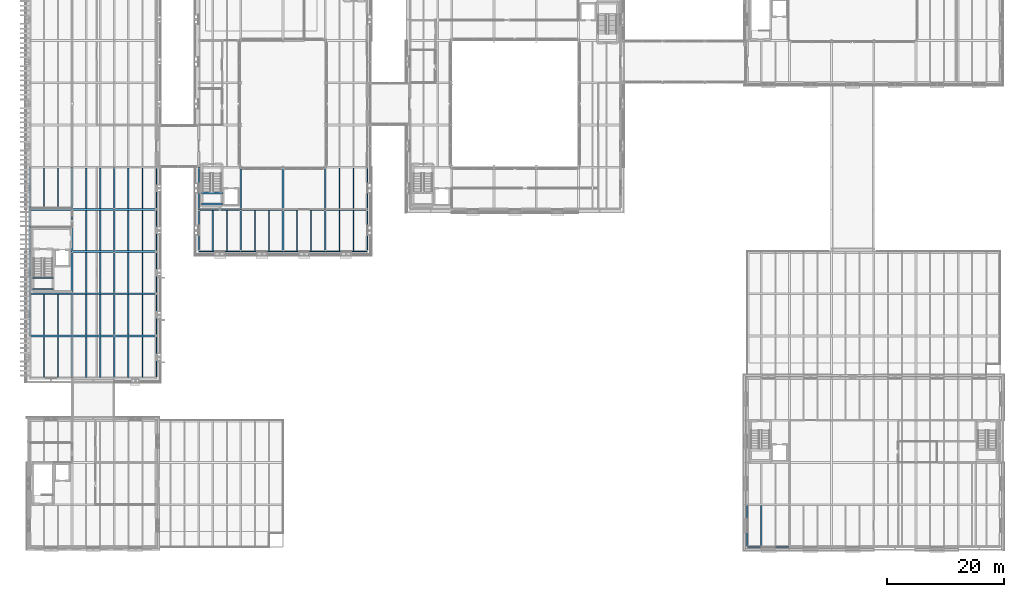
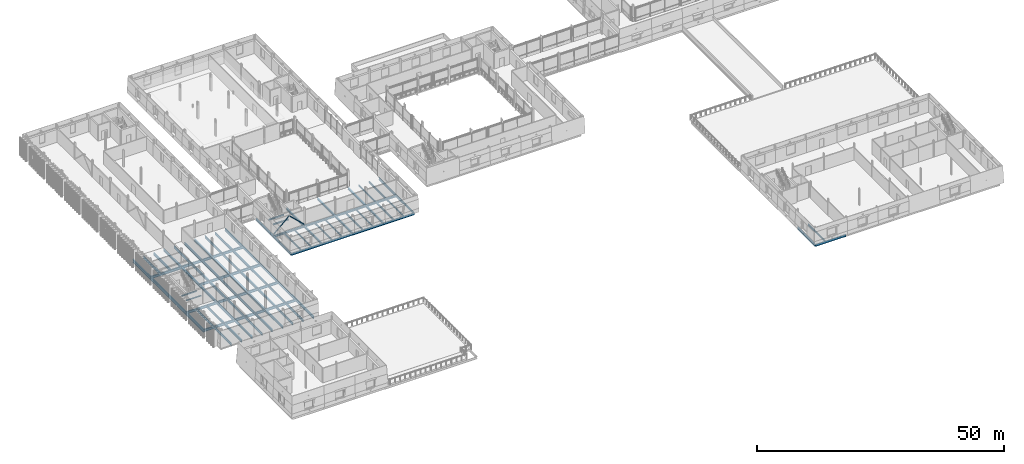
# One storey, part 19 of 115: 91 beams, 2 members.
"""IFC4 building model written with IfcOpenShell, lengths in metres."""

from ifc_helpers import new_model, si_unit, direction, frame, origin, origin_2d, place, context, subcontext, project, spatial, hollow_circle, i_section, extrude, material, material_profile, profile_set, type_object, element, save


model = new_model("IFC4")

# Units and contexts
model_context = context("Model", 3, precision=1e-05, world=origin(), true_north=direction((0.0, 1.0)))
body_context = subcontext(model_context, "Body", "Model", "MODEL_VIEW")
ifc_project = project(units=[si_unit("LENGTHUNIT", "METRE"), si_unit("AREAUNIT", "SQUARE_METRE"), si_unit("VOLUMEUNIT", "CUBIC_METRE"), si_unit("PLANEANGLEUNIT", "RADIAN"), si_unit("MASSUNIT", "GRAM", prefix="KILO")], contexts=[model_context])

# Site, building, storey
site_placement = place(None, origin())
site = spatial("IfcSite", under=ifc_project, at=site_placement, CompositionType="ELEMENT")
building_placement = place(site_placement, origin())
building = spatial("IfcBuilding", under=site, at=building_placement, Name="Narikvali Park Central Library", CompositionType="ELEMENT")
storey_placement = place(building_placement, frame((0.0, 0.0, 10.199951171875)))
storey = spatial("IfcBuildingStorey", under=building, at=storey_placement, Name="L02", CompositionType="ELEMENT", Elevation=10.199951171875)

# Beams
ifc_material = material(Name="Steel S355", Category="steel")
ifc_material_profile_1 = material_profile(ifc_material, i_section(OverallWidth=0.219970703125, OverallDepth=0.60009765625, WebThickness=0.011962890625, FlangeThickness=0.01904296875, FilletRadius=0.02392578125, at=origin_2d()), Name="IPE 600")
ifc_profile_set_1 = profile_set([ifc_material_profile_1], Name="Steel S355")
beam_type_1 = type_object("IfcBeamType", Name="Compact Archive Joist IPE600", PredefinedType="JOIST", material=ifc_profile_set_1)
for number, where, z_axis, x_axis, name in (
    (1, (2.39990234375, 28.909912109375, -0.599853515625), (0.0, 1.0, 0.0), (-1.0, 0.0, 0.0), "V5 L02 Composite Joist 1"),
    (2, (4.800048828125, 28.909912109375, -0.599853515625), (0.0, 1.0, 0.0), (-1.0, 0.0, 0.0), "V5 L02 Composite Joist 2"),
):
    element("IfcBeam", number, at=place(storey_placement, frame(where, z_axis=z_axis, x_axis=x_axis)), inside=storey, type_object=beam_type_1, Name=name, PredefinedType="JOIST", context=body_context, shape_type="SweptSolid", body=[
        extrude(i_section(OverallWidth=0.219970703125, OverallDepth=0.60009765625, WebThickness=0.011962890625, FlangeThickness=0.01904296875, FilletRadius=0.02392578125, at=origin_2d()), origin(), (0.0, 0.0, 1.0), 6.940185546875),
    ])
for number, where, z_axis, x_axis, name in (
    (3, (2.39990234375, 36.14990234375, -0.599853515625), (0.0, 1.0, 0.0), (-1.0, 0.0, 0.0), "V5 L02 Composite Joist 1"),
    (4, (4.800048828125, 36.14990234375, -0.599853515625), (0.0, 1.0, 0.0), (-1.0, 0.0, 0.0), "V5 L02 Composite Joist 2"),
):
    element("IfcBeam", number, at=place(storey_placement, frame(where, z_axis=z_axis, x_axis=x_axis)), inside=storey, type_object=beam_type_1, Name=name, PredefinedType="JOIST", context=body_context, shape_type="SweptSolid", body=[
        extrude(i_section(OverallWidth=0.219970703125, OverallDepth=0.60009765625, WebThickness=0.011962890625, FlangeThickness=0.01904296875, FilletRadius=0.02392578125, at=origin_2d()), origin(), (0.0, 0.0, 1.0), 6.900146484375),
    ])
for number, where, z_axis, x_axis, name in (
    (5, (2.39990234375, 57.75, -0.599853515625), (0.0, 1.0, 0.0), (-1.0, 0.0, 0.0), "V5 L02 Composite Joist 1"),
    (6, (4.800048828125, 57.75, -0.599853515625), (0.0, 1.0, 0.0), (-1.0, 0.0, 0.0), "V5 L02 Composite Joist 2"),
):
    element("IfcBeam", number, at=place(storey_placement, frame(where, z_axis=z_axis, x_axis=x_axis)), inside=storey, type_object=beam_type_1, Name=name, PredefinedType="JOIST", context=body_context, shape_type="SweptSolid", body=[
        extrude(i_section(OverallWidth=0.219970703125, OverallDepth=0.60009765625, WebThickness=0.011962890625, FlangeThickness=0.01904296875, FilletRadius=0.02392578125, at=origin_2d()), origin(), (0.0, 0.0, 1.0), 6.89990234375),
    ])
for number, where, z_axis, x_axis, name in (
    (7, (9.60009765625, 28.909912109375, -0.599853515625), (0.0, 1.0, 0.0), (-1.0, 0.0, 0.0), "V5 L02 Composite Joist 1"),
    (8, (12.0, 28.909912109375, -0.599853515625), (0.0, 1.0, 0.0), (-1.0, 0.0, 0.0), "V5 L02 Composite Joist 2"),
):
    element("IfcBeam", number, at=place(storey_placement, frame(where, z_axis=z_axis, x_axis=x_axis)), inside=storey, type_object=beam_type_1, Name=name, PredefinedType="JOIST", context=body_context, shape_type="SweptSolid", body=[
        extrude(i_section(OverallWidth=0.219970703125, OverallDepth=0.60009765625, WebThickness=0.011962890625, FlangeThickness=0.01904296875, FilletRadius=0.02392578125, at=origin_2d()), origin(), (0.0, 0.0, 1.0), 6.940185546875),
    ])
for number, where, z_axis, x_axis, name in (
    (9, (9.60009765625, 36.14990234375, -0.599853515625), (0.0, 1.0, 0.0), (-1.0, 0.0, 0.0), "V5 L02 Composite Joist 1"),
    (10, (12.0, 36.14990234375, -0.599853515625), (0.0, 1.0, 0.0), (-1.0, 0.0, 0.0), "V5 L02 Composite Joist 2"),
):
    element("IfcBeam", number, at=place(storey_placement, frame(where, z_axis=z_axis, x_axis=x_axis)), inside=storey, type_object=beam_type_1, Name=name, PredefinedType="JOIST", context=body_context, shape_type="SweptSolid", body=[
        extrude(i_section(OverallWidth=0.219970703125, OverallDepth=0.60009765625, WebThickness=0.011962890625, FlangeThickness=0.01904296875, FilletRadius=0.02392578125, at=origin_2d()), origin(), (0.0, 0.0, 1.0), 6.900146484375),
    ])
for number, where, z_axis, x_axis, name in (
    (11, (9.60009765625, 43.35009765625, -0.599853515625), (0.0, 1.0, 0.0), (-1.0, 0.0, 0.0), "V5 L02 Composite Joist 1"),
    (12, (12.0, 43.35009765625, -0.599853515625), (0.0, 1.0, 0.0), (-1.0, 0.0, 0.0), "V5 L02 Composite Joist 2"),
    (13, (9.60009765625, 50.550048828125, -0.599853515625), (0.0, 1.0, 0.0), (-1.0, 0.0, 0.0), "V5 L02 Composite Joist 1"),
    (14, (12.0, 50.550048828125, -0.599853515625), (0.0, 1.0, 0.0), (-1.0, 0.0, 0.0), "V5 L02 Composite Joist 2"),
    (15, (9.60009765625, 57.75, -0.599853515625), (0.0, 1.0, 0.0), (-1.0, 0.0, 0.0), "V5 L02 Composite Joist 1"),
    (16, (12.0, 57.75, -0.599853515625), (0.0, 1.0, 0.0), (-1.0, 0.0, 0.0), "V5 L02 Composite Joist 2"),
):
    element("IfcBeam", number, at=place(storey_placement, frame(where, z_axis=z_axis, x_axis=x_axis)), inside=storey, type_object=beam_type_1, Name=name, PredefinedType="JOIST", context=body_context, shape_type="SweptSolid", body=[
        extrude(i_section(OverallWidth=0.219970703125, OverallDepth=0.60009765625, WebThickness=0.011962890625, FlangeThickness=0.01904296875, FilletRadius=0.02392578125, at=origin_2d()), origin(), (0.0, 0.0, 1.0), 6.89990234375),
    ])
for number, where, z_axis, x_axis, name in (
    (17, (16.800048828125, 28.909912109375, -0.599853515625), (0.0, 1.0, 0.0), (-1.0, 0.0, 0.0), "V5 L02 Composite Joist 1"),
    (18, (19.199951171875, 28.909912109375, -0.599853515625), (0.0, 1.0, 0.0), (-1.0, 0.0, 0.0), "V5 L02 Composite Joist 2"),
):
    element("IfcBeam", number, at=place(storey_placement, frame(where, z_axis=z_axis, x_axis=x_axis)), inside=storey, type_object=beam_type_1, Name=name, PredefinedType="JOIST", context=body_context, shape_type="SweptSolid", body=[
        extrude(i_section(OverallWidth=0.219970703125, OverallDepth=0.60009765625, WebThickness=0.011962890625, FlangeThickness=0.01904296875, FilletRadius=0.02392578125, at=origin_2d()), origin(), (0.0, 0.0, 1.0), 6.940185546875),
    ])
for number, where, z_axis, x_axis, name in (
    (19, (16.800048828125, 36.14990234375, -0.599853515625), (0.0, 1.0, 0.0), (-1.0, 0.0, 0.0), "V5 L02 Composite Joist 1"),
    (20, (19.199951171875, 36.14990234375, -0.599853515625), (0.0, 1.0, 0.0), (-1.0, 0.0, 0.0), "V5 L02 Composite Joist 2"),
):
    element("IfcBeam", number, at=place(storey_placement, frame(where, z_axis=z_axis, x_axis=x_axis)), inside=storey, type_object=beam_type_1, Name=name, PredefinedType="JOIST", context=body_context, shape_type="SweptSolid", body=[
        extrude(i_section(OverallWidth=0.219970703125, OverallDepth=0.60009765625, WebThickness=0.011962890625, FlangeThickness=0.01904296875, FilletRadius=0.02392578125, at=origin_2d()), origin(), (0.0, 0.0, 1.0), 6.900146484375),
    ])
for number, where, z_axis, x_axis, name in (
    (21, (16.800048828125, 43.35009765625, -0.599853515625), (0.0, 1.0, 0.0), (-1.0, 0.0, 0.0), "V5 L02 Composite Joist 1"),
    (22, (19.199951171875, 43.35009765625, -0.599853515625), (0.0, 1.0, 0.0), (-1.0, 0.0, 0.0), "V5 L02 Composite Joist 2"),
    (23, (16.800048828125, 50.550048828125, -0.599853515625), (0.0, 1.0, 0.0), (-1.0, 0.0, 0.0), "V5 L02 Composite Joist 1"),
    (24, (19.199951171875, 50.550048828125, -0.599853515625), (0.0, 1.0, 0.0), (-1.0, 0.0, 0.0), "V5 L02 Composite Joist 2"),
    (25, (16.800048828125, 57.75, -0.599853515625), (0.0, 1.0, 0.0), (-1.0, 0.0, 0.0), "V5 L02 Composite Joist 1"),
    (26, (19.199951171875, 57.75, -0.599853515625), (0.0, 1.0, 0.0), (-1.0, 0.0, 0.0), "V5 L02 Composite Joist 2"),
):
    element("IfcBeam", number, at=place(storey_placement, frame(where, z_axis=z_axis, x_axis=x_axis)), inside=storey, type_object=beam_type_1, Name=name, PredefinedType="JOIST", context=body_context, shape_type="SweptSolid", body=[
        extrude(i_section(OverallWidth=0.219970703125, OverallDepth=0.60009765625, WebThickness=0.011962890625, FlangeThickness=0.01904296875, FilletRadius=0.02392578125, at=origin_2d()), origin(), (0.0, 0.0, 1.0), 6.89990234375),
    ])
ifc_material_profile_2 = material_profile(ifc_material, i_section(OverallWidth=0.179931640625, OverallDepth=0.39990234375, WebThickness=0.008544921875, FlangeThickness=0.013427734375, FilletRadius=0.02099609375, at=origin_2d()), Name="IPE 400")
ifc_profile_set_2 = profile_set([ifc_material_profile_2], Name="Steel S355")
beam_type_2 = type_object("IfcBeamType", Name="Composite Floor Joist IPE400", PredefinedType="JOIST", material=ifc_profile_set_2)
beam_1_placement = place(storey_placement, frame((124.800048828125, 0.10498046875, -0.47998046875), z_axis=(0.0, 1.0, 0.0), x_axis=(-1.0, 0.0, 0.0)))
element("IfcBeam", 27, at=beam_1_placement, inside=storey, type_object=beam_type_2, Name="V6 L02 Composite Joist 1", PredefinedType="JOIST", context=body_context, shape_type="SweptSolid", body=[
    extrude(i_section(OverallWidth=0.179931640625, OverallDepth=0.39990234375, WebThickness=0.008544921875, FlangeThickness=0.013427734375, FilletRadius=0.02099609375, at=origin_2d()), origin(), (0.0, 0.0, 1.0), 6.945068359375),
])
ifc_material_profile_3 = material_profile(ifc_material, i_section(OverallWidth=0.239990234375, OverallDepth=0.239990234375, WebThickness=0.010009765625, FlangeThickness=0.01708984375, FilletRadius=0.02099609375, at=origin_2d()), Name="HEB 240")
ifc_profile_set_3 = profile_set([ifc_material_profile_3], Name="Steel S355")
beam_type_3 = type_object("IfcBeamType", Name="Core Trimmer Girder HEB240", PredefinedType="BEAM", material=ifc_profile_set_3)
for number, where, z_axis, x_axis, name in (
    (28, (0.469970703125, 44.02001953125, 1.780029296875), (1.0, 0.0, 0.0), (0.0, 1.0, 0.0), "ST-09 L02 Landing Trimmer Beam 1-1"),
    (29, (0.469970703125, 45.89501953125, 1.780029296875), (1.0, 0.0, 0.0), (0.0, 1.0, 0.0), "ST-09 L02 Landing Trimmer Beam 1-2"),
):
    element("IfcBeam", number, at=place(storey_placement, frame(where, z_axis=z_axis, x_axis=x_axis)), inside=storey, type_object=beam_type_3, Name=name, PredefinedType="BEAM", context=body_context, shape_type="SweptSolid", body=[
        extrude(i_section(OverallWidth=0.239990234375, OverallDepth=0.239990234375, WebThickness=0.010009765625, FlangeThickness=0.01708984375, FilletRadius=0.02099609375, at=origin_2d()), origin(), (0.0, 0.0, 1.0), 3.56005859375),
    ])
ifc_material_profile_4 = material_profile(ifc_material, i_section(OverallWidth=0.280029296875, OverallDepth=0.280029296875, WebThickness=0.010498046875, FlangeThickness=0.01806640625, FilletRadius=0.02392578125, at=origin_2d()), Name="HEB 280")
ifc_profile_set_4 = profile_set([ifc_material_profile_4], Name="Steel S355")
beam_type_4 = type_object("IfcBeamType", Name="Core Trimmer Girder HEB280", PredefinedType="BEAM", material=ifc_profile_set_4)
for number, where, z_axis, x_axis, name in (
    (30, (29.27001953125, 58.52001953125, 1.760009765625), (1.0, 0.0, 0.0), (0.0, 1.0, 0.0), "ST-07 L02 Landing Trimmer Beam 1-1"),
    (31, (29.27001953125, 60.39501953125, 1.760009765625), (1.0, 0.0, 0.0), (0.0, 1.0, 0.0), "ST-07 L02 Landing Trimmer Beam 1-2"),
):
    element("IfcBeam", number, at=place(storey_placement, frame(where, z_axis=z_axis, x_axis=x_axis)), inside=storey, type_object=beam_type_4, Name=name, PredefinedType="BEAM", context=body_context, shape_type="SweptSolid", body=[
        extrude(i_section(OverallWidth=0.280029296875, OverallDepth=0.280029296875, WebThickness=0.010498046875, FlangeThickness=0.01806640625, FilletRadius=0.02392578125, at=origin_2d()), origin(), (0.0, 0.0, 1.0), 3.56005859375),
    ])
ifc_material_profile_5 = material_profile(ifc_material, i_section(OverallWidth=0.264892578125, OverallDepth=0.7529296875, WebThickness=0.01318359375, FlangeThickness=0.01708984375, FilletRadius=0.01708984375, at=origin_2d()), Name="IPE 750x147")
ifc_profile_set_5 = profile_set([ifc_material_profile_5], Name="Steel S355")
beam_type_5 = type_object("IfcBeamType", Name="Fin Facade Spandrel IPE750", PredefinedType="SPANDREL", material=ifc_profile_set_5)
beam_2_placement = place(storey_placement, frame((0.0, 36.008056640625, -0.676513671875), z_axis=(0.0, 1.0, 0.0), x_axis=(-1.0, 0.0, 0.0)))
element("IfcBeam", 32, at=beam_2_placement, inside=storey, type_object=beam_type_5, Name="V5 L02 Girder Y", PredefinedType="SPANDREL", context=body_context, shape_type="SweptSolid", body=[
    extrude(i_section(OverallWidth=0.264892578125, OverallDepth=0.7529296875, WebThickness=0.01318359375, FlangeThickness=0.01708984375, FilletRadius=0.01708984375, at=origin_2d()), origin(), (0.0, 0.0, 1.0), 7.183837890625),
])
for number, where, z_axis, x_axis, name in (
    (33, (0.0, 43.2080078125, -0.676513671875), (0.0, 1.0, 0.0), (-1.0, 0.0, 0.0), "V5 L02 Girder Y"),
    (34, (0.0, 50.407958984375, -0.676513671875), (0.0, 1.0, 0.0), (-1.0, 0.0, 0.0), "V5 L02 Girder Y"),
    (35, (0.0, 57.60791015625, -0.676513671875), (0.0, 1.0, 0.0), (-1.0, 0.0, 0.0), "V5 L02 Girder Y"),
):
    element("IfcBeam", number, at=place(storey_placement, frame(where, z_axis=z_axis, x_axis=x_axis)), inside=storey, type_object=beam_type_5, Name=name, PredefinedType="SPANDREL", context=body_context, shape_type="SweptSolid", body=[
        extrude(i_section(OverallWidth=0.264892578125, OverallDepth=0.7529296875, WebThickness=0.01318359375, FlangeThickness=0.01708984375, FilletRadius=0.01708984375, at=origin_2d()), origin(), (0.0, 0.0, 1.0), 7.18408203125),
    ])
ifc_material_profile_6 = material_profile(ifc_material, i_section(OverallWidth=0.181884765625, OverallDepth=0.404052734375, WebThickness=0.009765625, FlangeThickness=0.015380859375, FilletRadius=0.02099609375, at=origin_2d()), Name="IPEO 400")
ifc_profile_set_6 = profile_set([ifc_material_profile_6], Name="Steel S355")
beam_type_6 = type_object("IfcBeamType", Name="Gallery Floor Joist IPEO400", PredefinedType="JOIST", material=ifc_profile_set_6)
for number, where, z_axis, x_axis, name in (
    (36, (31.199951171875, 50.5048828125, -0.48193359375), (0.0, 1.0, 0.0), (-1.0, 0.0, 0.0), "V4 L02 Composite Joist 1"),
    (37, (33.60009765625, 50.5048828125, -0.48193359375), (0.0, 1.0, 0.0), (-1.0, 0.0, 0.0), "V4 L02 Composite Joist 2"),
    (38, (38.39990234375, 50.5048828125, -0.48193359375), (0.0, 1.0, 0.0), (-1.0, 0.0, 0.0), "V4 L02 Composite Joist 1"),
    (39, (40.800048828125, 50.5048828125, -0.48193359375), (0.0, 1.0, 0.0), (-1.0, 0.0, 0.0), "V4 L02 Composite Joist 2"),
    (40, (45.60009765625, 50.5048828125, -0.48193359375), (0.0, 1.0, 0.0), (-1.0, 0.0, 0.0), "V4 L02 Composite Joist 1"),
    (41, (48.0, 50.5048828125, -0.48193359375), (0.0, 1.0, 0.0), (-1.0, 0.0, 0.0), "V4 L02 Composite Joist 2"),
    (42, (52.800048828125, 50.5048828125, -0.48193359375), (0.0, 1.0, 0.0), (-1.0, 0.0, 0.0), "V4 L02 Composite Joist 1"),
    (43, (55.199951171875, 50.5048828125, -0.48193359375), (0.0, 1.0, 0.0), (-1.0, 0.0, 0.0), "V4 L02 Composite Joist 2"),
):
    element("IfcBeam", number, at=place(storey_placement, frame(where, z_axis=z_axis, x_axis=x_axis)), inside=storey, type_object=beam_type_6, Name=name, PredefinedType="JOIST", context=body_context, shape_type="SweptSolid", body=[
        extrude(i_section(OverallWidth=0.181884765625, OverallDepth=0.404052734375, WebThickness=0.009765625, FlangeThickness=0.015380859375, FilletRadius=0.02099609375, at=origin_2d()), origin(), (0.0, 0.0, 1.0), 6.945068359375),
    ])
for number, where, z_axis, x_axis, name in (
    (44, (52.800048828125, 57.75, -0.48193359375), (0.0, 1.0, 0.0), (-1.0, 0.0, 0.0), "V4 L02 Composite Joist 1"),
    (45, (55.199951171875, 57.75, -0.48193359375), (0.0, 1.0, 0.0), (-1.0, 0.0, 0.0), "V4 L02 Composite Joist 2"),
):
    element("IfcBeam", number, at=place(storey_placement, frame(where, z_axis=z_axis, x_axis=x_axis)), inside=storey, type_object=beam_type_6, Name=name, PredefinedType="JOIST", context=body_context, shape_type="SweptSolid", body=[
        extrude(i_section(OverallWidth=0.181884765625, OverallDepth=0.404052734375, WebThickness=0.009765625, FlangeThickness=0.015380859375, FilletRadius=0.02099609375, at=origin_2d()), origin(), (0.0, 0.0, 1.0), 6.89990234375),
    ])
ifc_material_profile_7 = material_profile(ifc_material, i_section(OverallWidth=0.2099609375, OverallDepth=0.550048828125, WebThickness=0.010986328125, FlangeThickness=0.01708984375, FilletRadius=0.02392578125, at=origin_2d()), Name="IPE 550")
ifc_profile_set_7 = profile_set([ifc_material_profile_7], Name="Steel S355")
beam_type_7 = type_object("IfcBeamType", Name="Perimeter Spandrel IPE550", PredefinedType="SPANDREL", material=ifc_profile_set_7)
for number, where, z_axis, x_axis, name in (
    (46, (28.80810546875, 50.39990234375, -0.554931640625), (1.0, 0.0, 0.0), (0.0, 1.0, 0.0), "V4 L02 Girder X"),
    (47, (36.008056640625, 50.39990234375, -0.554931640625), (1.0, 0.0, 0.0), (0.0, 1.0, 0.0), "V4 L02 Girder X"),
):
    element("IfcBeam", number, at=place(storey_placement, frame(where, z_axis=z_axis, x_axis=x_axis)), inside=storey, type_object=beam_type_7, Name=name, PredefinedType="SPANDREL", context=body_context, shape_type="SweptSolid", body=[
        extrude(i_section(OverallWidth=0.2099609375, OverallDepth=0.550048828125, WebThickness=0.010986328125, FlangeThickness=0.01708984375, FilletRadius=0.02392578125, at=origin_2d()), origin(), (0.0, 0.0, 1.0), 7.183837890625),
    ])
for number, where, z_axis, x_axis, name in (
    (48, (43.2080078125, 50.39990234375, -0.554931640625), (1.0, 0.0, 0.0), (0.0, 1.0, 0.0), "V4 L02 Girder X"),
    (49, (50.407958984375, 50.39990234375, -0.554931640625), (1.0, 0.0, 0.0), (0.0, 1.0, 0.0), "V4 L02 Girder X"),
    (50, (28.800048828125, 50.407958984375, -0.554931640625), (0.0, 1.0, 0.0), (-1.0, 0.0, 0.0), "V4 L02 Girder Y"),
    (51, (28.800048828125, 57.60791015625, -0.554931640625), (0.0, 1.0, 0.0), (-1.0, 0.0, 0.0), "V4 L02 Girder Y"),
    (52, (57.60009765625, 50.407958984375, -0.554931640625), (0.0, 1.0, 0.0), (-1.0, 0.0, 0.0), "V4 L02 Girder Y"),
    (53, (57.60009765625, 57.60791015625, -0.554931640625), (0.0, 1.0, 0.0), (-1.0, 0.0, 0.0), "V4 L02 Girder Y"),
    (54, (122.407958984375, 0.0, -0.554931640625), (1.0, 0.0, 0.0), (0.0, 1.0, 0.0), "V6 L02 Girder X"),
):
    element("IfcBeam", number, at=place(storey_placement, frame(where, z_axis=z_axis, x_axis=x_axis)), inside=storey, type_object=beam_type_7, Name=name, PredefinedType="SPANDREL", context=body_context, shape_type="SweptSolid", body=[
        extrude(i_section(OverallWidth=0.2099609375, OverallDepth=0.550048828125, WebThickness=0.010986328125, FlangeThickness=0.01708984375, FilletRadius=0.02392578125, at=origin_2d()), origin(), (0.0, 0.0, 1.0), 7.18408203125),
    ])
beam_3_placement = place(storey_placement, frame((122.39990234375, 0.008056640625, -0.554931640625), z_axis=(0.0, 1.0, 0.0), x_axis=(-1.0, 0.0, 0.0)))
element("IfcBeam", 55, at=beam_3_placement, inside=storey, type_object=beam_type_7, Name="V6 L02 Girder Y", PredefinedType="SPANDREL", context=body_context, shape_type="SweptSolid", body=[
    extrude(i_section(OverallWidth=0.2099609375, OverallDepth=0.550048828125, WebThickness=0.010986328125, FlangeThickness=0.01708984375, FilletRadius=0.02392578125, at=origin_2d()), origin(), (0.0, 0.0, 1.0), 7.183837890625),
])
ifc_material_profile_8 = material_profile(ifc_material, i_section(OverallWidth=0.219970703125, OverallDepth=0.60009765625, WebThickness=0.011962890625, FlangeThickness=0.01904296875, FilletRadius=0.02392578125, at=origin_2d()), Name="IPE 600")
ifc_profile_set_8 = profile_set([ifc_material_profile_8], Name="Steel S355")
beam_type_8 = type_object("IfcBeamType", Name="Perimeter Spandrel IPE600", PredefinedType="SPANDREL", material=ifc_profile_set_8)
for number, where, z_axis, x_axis, name in (
    (56, (21.60009765625, 28.80810546875, -0.599853515625), (0.0, 1.0, 0.0), (-1.0, 0.0, 0.0), "V5 L02 Girder Y"),
    (57, (21.60009765625, 36.008056640625, -0.599853515625), (0.0, 1.0, 0.0), (-1.0, 0.0, 0.0), "V5 L02 Girder Y"),
):
    element("IfcBeam", number, at=place(storey_placement, frame(where, z_axis=z_axis, x_axis=x_axis)), inside=storey, type_object=beam_type_8, Name=name, PredefinedType="SPANDREL", context=body_context, shape_type="SweptSolid", body=[
        extrude(i_section(OverallWidth=0.219970703125, OverallDepth=0.60009765625, WebThickness=0.011962890625, FlangeThickness=0.01904296875, FilletRadius=0.02392578125, at=origin_2d()), origin(), (0.0, 0.0, 1.0), 7.183837890625),
    ])
for number, where, z_axis, x_axis, name in (
    (58, (21.60009765625, 43.2080078125, -0.599853515625), (0.0, 1.0, 0.0), (-1.0, 0.0, 0.0), "V5 L02 Girder Y"),
    (59, (21.60009765625, 50.407958984375, -0.599853515625), (0.0, 1.0, 0.0), (-1.0, 0.0, 0.0), "V5 L02 Girder Y"),
    (60, (21.60009765625, 57.60791015625, -0.599853515625), (0.0, 1.0, 0.0), (-1.0, 0.0, 0.0), "V5 L02 Girder Y"),
):
    element("IfcBeam", number, at=place(storey_placement, frame(where, z_axis=z_axis, x_axis=x_axis)), inside=storey, type_object=beam_type_8, Name=name, PredefinedType="SPANDREL", context=body_context, shape_type="SweptSolid", body=[
        extrude(i_section(OverallWidth=0.219970703125, OverallDepth=0.60009765625, WebThickness=0.011962890625, FlangeThickness=0.01904296875, FilletRadius=0.02392578125, at=origin_2d()), origin(), (0.0, 0.0, 1.0), 7.18408203125),
    ])
ifc_material_profile_9 = material_profile(ifc_material, i_section(OverallWidth=0.300048828125, OverallDepth=0.43994140625, WebThickness=0.011474609375, FlangeThickness=0.02099609375, FilletRadius=0.027099609375, at=origin_2d()), Name="HEA 450")
ifc_profile_set_9 = profile_set([ifc_material_profile_9], Name="Steel S355")
beam_type_9 = type_object("IfcBeamType", Name="Primary Girder HEA450", PredefinedType="BEAM", material=ifc_profile_set_9)
for number, where, z_axis, x_axis, name in (
    (61, (28.80810546875, 57.60009765625, -0.5), (1.0, 0.0, 0.0), (0.0, 1.0, 0.0), "V4 L02 Girder X"),
    (62, (36.008056640625, 57.60009765625, -0.5), (1.0, 0.0, 0.0), (0.0, 1.0, 0.0), "V4 L02 Girder X"),
):
    element("IfcBeam", number, at=place(storey_placement, frame(where, z_axis=z_axis, x_axis=x_axis)), inside=storey, type_object=beam_type_9, Name=name, PredefinedType="BEAM", context=body_context, shape_type="SweptSolid", body=[
        extrude(i_section(OverallWidth=0.300048828125, OverallDepth=0.43994140625, WebThickness=0.011474609375, FlangeThickness=0.02099609375, FilletRadius=0.027099609375, at=origin_2d()), origin(), (0.0, 0.0, 1.0), 7.183837890625),
    ])
for number, where, z_axis, x_axis, name in (
    (63, (43.2080078125, 57.60009765625, -0.5), (1.0, 0.0, 0.0), (0.0, 1.0, 0.0), "V4 L02 Girder X"),
    (64, (50.407958984375, 57.60009765625, -0.5), (1.0, 0.0, 0.0), (0.0, 1.0, 0.0), "V4 L02 Girder X"),
    (65, (36.0, 50.407958984375, -0.5), (0.0, 1.0, 0.0), (-1.0, 0.0, 0.0), "V4 L02 Girder Y"),
    (66, (36.0, 57.60791015625, -0.5), (0.0, 1.0, 0.0), (-1.0, 0.0, 0.0), "V4 L02 Girder Y"),
    (67, (43.199951171875, 50.407958984375, -0.5), (0.0, 1.0, 0.0), (-1.0, 0.0, 0.0), "V4 L02 Girder Y"),
    (68, (43.199951171875, 57.60791015625, -0.5), (0.0, 1.0, 0.0), (-1.0, 0.0, 0.0), "V4 L02 Girder Y"),
    (69, (50.39990234375, 50.407958984375, -0.5), (0.0, 1.0, 0.0), (-1.0, 0.0, 0.0), "V4 L02 Girder Y"),
    (70, (50.39990234375, 57.60791015625, -0.5), (0.0, 1.0, 0.0), (-1.0, 0.0, 0.0), "V4 L02 Girder Y"),
):
    element("IfcBeam", number, at=place(storey_placement, frame(where, z_axis=z_axis, x_axis=x_axis)), inside=storey, type_object=beam_type_9, Name=name, PredefinedType="BEAM", context=body_context, shape_type="SweptSolid", body=[
        extrude(i_section(OverallWidth=0.300048828125, OverallDepth=0.43994140625, WebThickness=0.011474609375, FlangeThickness=0.02099609375, FilletRadius=0.027099609375, at=origin_2d()), origin(), (0.0, 0.0, 1.0), 7.18408203125),
    ])
ifc_material_profile_10 = material_profile(ifc_material, i_section(OverallWidth=0.300048828125, OverallDepth=0.5400390625, WebThickness=0.012451171875, FlangeThickness=0.02392578125, FilletRadius=0.027099609375, at=origin_2d()), Name="HEA 550")
ifc_profile_set_10 = profile_set([ifc_material_profile_10], Name="Steel S355")
beam_type_10 = type_object("IfcBeamType", Name="Primary Girder HEA550", PredefinedType="BEAM", material=ifc_profile_set_10)
for number, where, z_axis, x_axis, name in (
    (71, (7.199951171875, 28.80810546875, -0.570068359375), (0.0, 1.0, 0.0), (-1.0, 0.0, 0.0), "V5 L02 Girder Y"),
    (72, (7.199951171875, 36.008056640625, -0.570068359375), (0.0, 1.0, 0.0), (-1.0, 0.0, 0.0), "V5 L02 Girder Y"),
):
    element("IfcBeam", number, at=place(storey_placement, frame(where, z_axis=z_axis, x_axis=x_axis)), inside=storey, type_object=beam_type_10, Name=name, PredefinedType="BEAM", context=body_context, shape_type="SweptSolid", body=[
        extrude(i_section(OverallWidth=0.300048828125, OverallDepth=0.5400390625, WebThickness=0.012451171875, FlangeThickness=0.02392578125, FilletRadius=0.027099609375, at=origin_2d()), origin(), (0.0, 0.0, 1.0), 7.183837890625),
    ])
for number, where, z_axis, x_axis, name in (
    (73, (7.199951171875, 43.2080078125, -0.570068359375), (0.0, 1.0, 0.0), (-1.0, 0.0, 0.0), "V5 L02 Girder Y"),
    (74, (7.199951171875, 50.407958984375, -0.570068359375), (0.0, 1.0, 0.0), (-1.0, 0.0, 0.0), "V5 L02 Girder Y"),
    (75, (7.199951171875, 57.60791015625, -0.570068359375), (0.0, 1.0, 0.0), (-1.0, 0.0, 0.0), "V5 L02 Girder Y"),
):
    element("IfcBeam", number, at=place(storey_placement, frame(where, z_axis=z_axis, x_axis=x_axis)), inside=storey, type_object=beam_type_10, Name=name, PredefinedType="BEAM", context=body_context, shape_type="SweptSolid", body=[
        extrude(i_section(OverallWidth=0.300048828125, OverallDepth=0.5400390625, WebThickness=0.012451171875, FlangeThickness=0.02392578125, FilletRadius=0.027099609375, at=origin_2d()), origin(), (0.0, 0.0, 1.0), 7.18408203125),
    ])
for number, where, z_axis, x_axis, name in (
    (76, (14.39990234375, 28.80810546875, -0.570068359375), (0.0, 1.0, 0.0), (-1.0, 0.0, 0.0), "V5 L02 Girder Y"),
    (77, (14.39990234375, 36.008056640625, -0.570068359375), (0.0, 1.0, 0.0), (-1.0, 0.0, 0.0), "V5 L02 Girder Y"),
):
    element("IfcBeam", number, at=place(storey_placement, frame(where, z_axis=z_axis, x_axis=x_axis)), inside=storey, type_object=beam_type_10, Name=name, PredefinedType="BEAM", context=body_context, shape_type="SweptSolid", body=[
        extrude(i_section(OverallWidth=0.300048828125, OverallDepth=0.5400390625, WebThickness=0.012451171875, FlangeThickness=0.02392578125, FilletRadius=0.027099609375, at=origin_2d()), origin(), (0.0, 0.0, 1.0), 7.183837890625),
    ])
for number, where, z_axis, x_axis, name in (
    (78, (14.39990234375, 43.2080078125, -0.570068359375), (0.0, 1.0, 0.0), (-1.0, 0.0, 0.0), "V5 L02 Girder Y"),
    (79, (14.39990234375, 50.407958984375, -0.570068359375), (0.0, 1.0, 0.0), (-1.0, 0.0, 0.0), "V5 L02 Girder Y"),
    (80, (14.39990234375, 57.60791015625, -0.570068359375), (0.0, 1.0, 0.0), (-1.0, 0.0, 0.0), "V5 L02 Girder Y"),
):
    element("IfcBeam", number, at=place(storey_placement, frame(where, z_axis=z_axis, x_axis=x_axis)), inside=storey, type_object=beam_type_10, Name=name, PredefinedType="BEAM", context=body_context, shape_type="SweptSolid", body=[
        extrude(i_section(OverallWidth=0.300048828125, OverallDepth=0.5400390625, WebThickness=0.012451171875, FlangeThickness=0.02392578125, FilletRadius=0.027099609375, at=origin_2d()), origin(), (0.0, 0.0, 1.0), 7.18408203125),
    ])
ifc_material_profile_11 = material_profile(ifc_material, i_section(OverallWidth=0.300048828125, OverallDepth=0.60009765625, WebThickness=0.015380859375, FlangeThickness=0.030029296875, FilletRadius=0.027099609375, at=origin_2d()), Name="HEB 600")
ifc_profile_set_11 = profile_set([ifc_material_profile_11], Name="Steel S355")
beam_type_11 = type_object("IfcBeamType", Name="Primary Stack Girder HEB600", PredefinedType="BEAM", material=ifc_profile_set_11)
beam_4_placement = place(storey_placement, frame((0.008056640625, 36.0, -0.599853515625), z_axis=(1.0, 0.0, 0.0), x_axis=(0.0, 1.0, 0.0)))
element("IfcBeam", 81, at=beam_4_placement, inside=storey, type_object=beam_type_11, Name="V5 L02 Girder X", PredefinedType="BEAM", context=body_context, shape_type="SweptSolid", body=[
    extrude(i_section(OverallWidth=0.300048828125, OverallDepth=0.60009765625, WebThickness=0.015380859375, FlangeThickness=0.030029296875, FilletRadius=0.027099609375, at=origin_2d()), origin(), (0.0, 0.0, 1.0), 7.183837890625),
])
for number, where, z_axis, x_axis, name in (
    (82, (7.2080078125, 36.0, -0.599853515625), (1.0, 0.0, 0.0), (0.0, 1.0, 0.0), "V5 L02 Girder X"),
    (83, (14.407958984375, 36.0, -0.599853515625), (1.0, 0.0, 0.0), (0.0, 1.0, 0.0), "V5 L02 Girder X"),
):
    element("IfcBeam", number, at=place(storey_placement, frame(where, z_axis=z_axis, x_axis=x_axis)), inside=storey, type_object=beam_type_11, Name=name, PredefinedType="BEAM", context=body_context, shape_type="SweptSolid", body=[
        extrude(i_section(OverallWidth=0.300048828125, OverallDepth=0.60009765625, WebThickness=0.015380859375, FlangeThickness=0.030029296875, FilletRadius=0.027099609375, at=origin_2d()), origin(), (0.0, 0.0, 1.0), 7.18408203125),
    ])
beam_5_placement = place(storey_placement, frame((0.008056640625, 43.199951171875, -0.599853515625), z_axis=(1.0, 0.0, 0.0), x_axis=(0.0, 1.0, 0.0)))
element("IfcBeam", 84, at=beam_5_placement, inside=storey, type_object=beam_type_11, Name="V5 L02 Girder X", PredefinedType="BEAM", context=body_context, shape_type="SweptSolid", body=[
    extrude(i_section(OverallWidth=0.300048828125, OverallDepth=0.60009765625, WebThickness=0.015380859375, FlangeThickness=0.030029296875, FilletRadius=0.027099609375, at=origin_2d()), origin(), (0.0, 0.0, 1.0), 7.183837890625),
])
for number, where, z_axis, x_axis, name in (
    (85, (7.2080078125, 43.199951171875, -0.599853515625), (1.0, 0.0, 0.0), (0.0, 1.0, 0.0), "V5 L02 Girder X"),
    (86, (14.407958984375, 43.199951171875, -0.599853515625), (1.0, 0.0, 0.0), (0.0, 1.0, 0.0), "V5 L02 Girder X"),
    (87, (7.2080078125, 50.39990234375, -0.599853515625), (1.0, 0.0, 0.0), (0.0, 1.0, 0.0), "V5 L02 Girder X"),
    (88, (14.407958984375, 50.39990234375, -0.599853515625), (1.0, 0.0, 0.0), (0.0, 1.0, 0.0), "V5 L02 Girder X"),
):
    element("IfcBeam", number, at=place(storey_placement, frame(where, z_axis=z_axis, x_axis=x_axis)), inside=storey, type_object=beam_type_11, Name=name, PredefinedType="BEAM", context=body_context, shape_type="SweptSolid", body=[
        extrude(i_section(OverallWidth=0.300048828125, OverallDepth=0.60009765625, WebThickness=0.015380859375, FlangeThickness=0.030029296875, FilletRadius=0.027099609375, at=origin_2d()), origin(), (0.0, 0.0, 1.0), 7.18408203125),
    ])
beam_6_placement = place(storey_placement, frame((0.008056640625, 57.60009765625, -0.599853515625), z_axis=(1.0, 0.0, 0.0), x_axis=(0.0, 1.0, 0.0)))
element("IfcBeam", 89, at=beam_6_placement, inside=storey, type_object=beam_type_11, Name="V5 L02 Girder X", PredefinedType="BEAM", context=body_context, shape_type="SweptSolid", body=[
    extrude(i_section(OverallWidth=0.300048828125, OverallDepth=0.60009765625, WebThickness=0.015380859375, FlangeThickness=0.030029296875, FilletRadius=0.027099609375, at=origin_2d()), origin(), (0.0, 0.0, 1.0), 7.183837890625),
])
for number, where, z_axis, x_axis, name in (
    (90, (7.2080078125, 57.60009765625, -0.599853515625), (1.0, 0.0, 0.0), (0.0, 1.0, 0.0), "V5 L02 Girder X"),
    (91, (14.407958984375, 57.60009765625, -0.599853515625), (1.0, 0.0, 0.0), (0.0, 1.0, 0.0), "V5 L02 Girder X"),
):
    element("IfcBeam", number, at=place(storey_placement, frame(where, z_axis=z_axis, x_axis=x_axis)), inside=storey, type_object=beam_type_11, Name=name, PredefinedType="BEAM", context=body_context, shape_type="SweptSolid", body=[
        extrude(i_section(OverallWidth=0.300048828125, OverallDepth=0.60009765625, WebThickness=0.015380859375, FlangeThickness=0.030029296875, FilletRadius=0.027099609375, at=origin_2d()), origin(), (0.0, 0.0, 1.0), 7.18408203125),
    ])

# Members
ifc_material_profile_12 = material_profile(ifc_material, hollow_circle(Radius=0.136474609375, WallThickness=0.012451171875, at=origin_2d()), Name="CHS 273x12.5")
ifc_profile_set_12 = profile_set([ifc_material_profile_12], Name="Steel S355")
member_type = type_object("IfcMemberType", Name="Seismic Chevron Brace CHS273", PredefinedType="BRACE", material=ifc_profile_set_12)
member_1_placement = place(storey_placement, frame((28.81494140625, 57.60009765625, 0.01513671875), z_axis=(0.72709279328, 0.0, 0.686539197687), x_axis=(0.0, 1.0, 0.0)))
element("IfcMember", 92, at=member_1_placement, inside=storey, type_object=member_type, Name="V4 L02 Seismic Chevron Brace A", PredefinedType="BRACE", context=body_context, shape_type="SweptSolid", body=[
    extrude(hollow_circle(Radius=0.136474609375, WallThickness=0.012451171875, at=origin_2d()), origin(), (0.0, 0.0, 1.0), 4.930419921875),
])
member_2_placement = place(storey_placement, frame((35.985107421875, 57.60009765625, 0.01513671875), z_axis=(-0.727116130692, 0.0, 0.686514480902), x_axis=(0.0, -1.0, 0.0)))
element("IfcMember", 93, at=member_2_placement, inside=storey, type_object=member_type, Name="V4 L02 Seismic Chevron Brace B", PredefinedType="BRACE", context=body_context, shape_type="SweptSolid", body=[
    extrude(hollow_circle(Radius=0.136474609375, WallThickness=0.012451171875, at=origin_2d()), origin(), (0.0, 0.0, 1.0), 4.9306640625),
])

save(model, "model.ifc")
